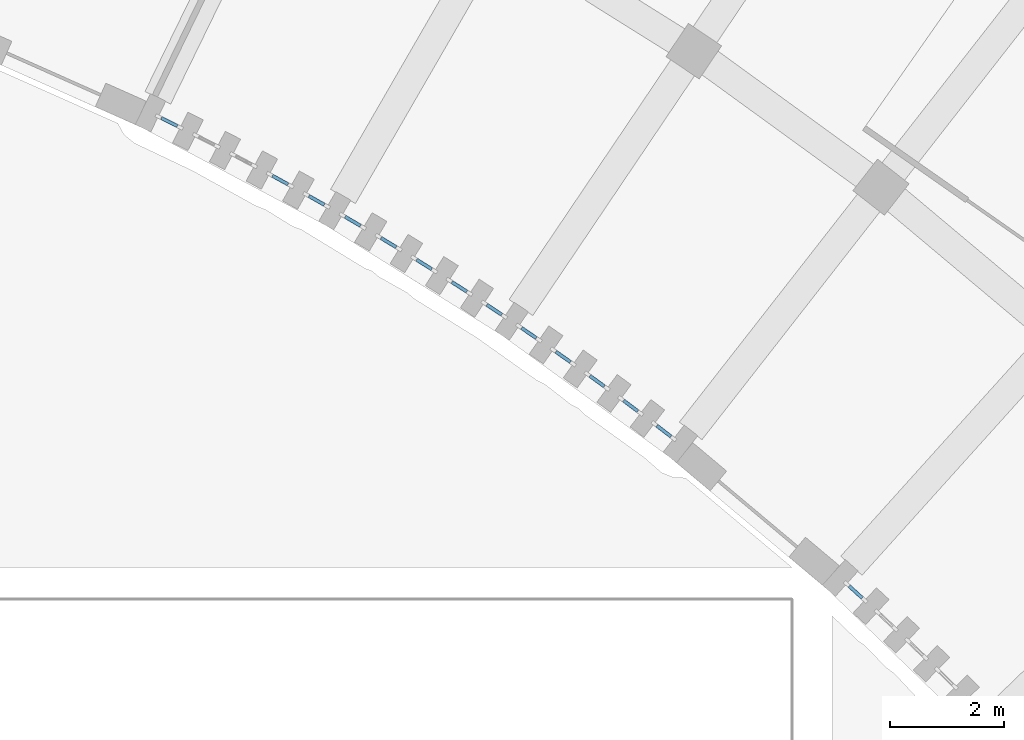
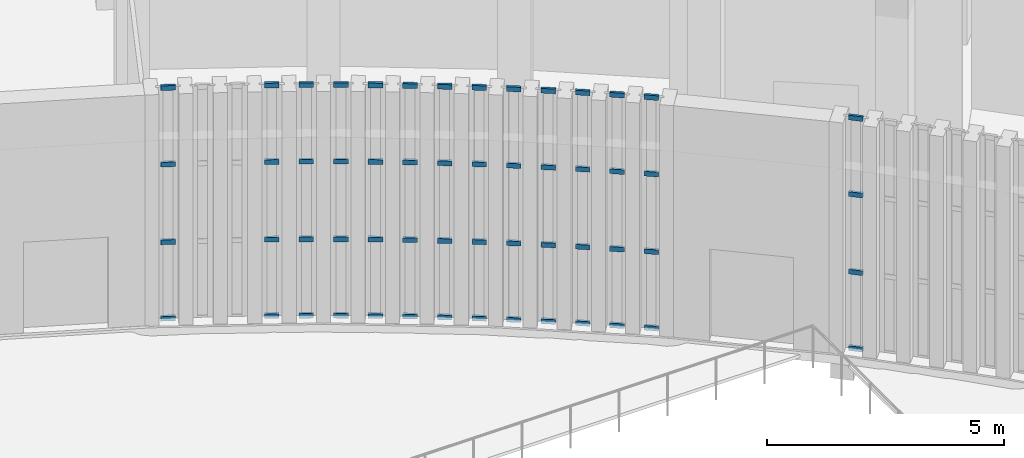
# One storey, part 69 of 155: 56 members, 14 elements without a shape of their own.
"""IFC4 building model written with IfcOpenShell, lengths in metres."""

from ifc_helpers import new_model, si_unit, direction, frame, origin, origin_2d, place, context, subcontext, project, spatial, rectangle, extrude, material, layer, layer_set, material_profile, profile_set, type_object, element, aggregate, save


model = new_model("IFC4")

# Units and contexts
model_context = context("Model", 3, precision=1e-05, world=origin(), true_north=direction((0.0, 1.0)))
body_context = subcontext(model_context, "Body", "Model", "MODEL_VIEW")
ifc_project = project(units=[si_unit("LENGTHUNIT", "METRE"), si_unit("AREAUNIT", "SQUARE_METRE"), si_unit("VOLUMEUNIT", "CUBIC_METRE"), si_unit("PLANEANGLEUNIT", "RADIAN"), si_unit("MASSUNIT", "GRAM", prefix="KILO")], contexts=[model_context])

# Site, building, storey
site_placement = place(None, origin())
site = spatial("IfcSite", under=ifc_project, at=site_placement, CompositionType="ELEMENT")
building_placement = place(site_placement, origin())
building = spatial("IfcBuilding", under=site, at=building_placement, Name="Lunette Opera House", CompositionType="ELEMENT")
storey_placement = place(building_placement, origin())
storey = spatial("IfcBuildingStorey", under=building, at=storey_placement, Name="L00", CompositionType="ELEMENT", Elevation=0.0)

# Curtain wall, members
ifc_material_1 = material(Name="Aluminium", Category="aluminium")
ifc_layer = layer(ifc_material_1, 0.1201171875)
ifc_layer_set = layer_set([ifc_layer], Name="Aluminium")
curtain_wall_type = type_object("IfcCurtainWallType", Name="SLOT CURTAIN WALL", PredefinedType="NOTDEFINED", material=ifc_layer_set)
curtain_wall_1_placement = place(storey_placement, origin())
curtain_wall_1 = element("IfcCurtainWall", 1, at=curtain_wall_1_placement, inside=storey, type_object=curtain_wall_type, Name="Slot Curtain Wall CS061 L00", PredefinedType="NOTDEFINED")
ifc_material_2 = material(Name="Aluminium", Category="aluminium")
ifc_material_profile = material_profile(ifc_material_2, rectangle(XDim=0.06005859375, YDim=0.1201171875, at=origin_2d()), Name="TRANSOM 60 X 120")
ifc_profile_set = profile_set([ifc_material_profile], Name="Aluminium")
member_type = type_object("IfcMemberType", Name="TRANSOM 60 X 120", PredefinedType="USERDEFINED", material=ifc_profile_set)
member_1_placement = place(storey_placement, frame((119.11572265625, 46.914306640625, 0.030029296875), z_axis=(0.895840911293, -0.444374911143, 0.0), x_axis=(0.444374911143, 0.895840911293, 0.0)))
member_1 = element("IfcMember", 2, at=member_1_placement, type_object=member_type, Name="FC-X2121 transom 1.1", ObjectType="TRANSOM", PredefinedType="USERDEFINED", context=body_context, shape_type="SweptSolid", body=[
    extrude(rectangle(XDim=0.06005859375, YDim=0.1201171875, at=origin_2d()), origin(), (0.0, 0.0, 1.0), 0.309814453125),
])
member_2_placement = place(storey_placement, frame((119.11572265625, 46.914306640625, 2.0), z_axis=(0.895840911293, -0.444374911143, 0.0), x_axis=(0.444374911143, 0.895840911293, 0.0)))
member_2 = element("IfcMember", 3, at=member_2_placement, type_object=member_type, Name="FC-X2121 transom 1.2", ObjectType="TRANSOM", PredefinedType="USERDEFINED", context=body_context, shape_type="SweptSolid", body=[
    extrude(rectangle(XDim=0.06005859375, YDim=0.1201171875, at=origin_2d()), origin(), (0.0, 0.0, 1.0), 0.309814453125),
])
member_3_placement = place(storey_placement, frame((119.11572265625, 46.914306640625, 4.0), z_axis=(0.895840911293, -0.444374911143, 0.0), x_axis=(0.444374911143, 0.895840911293, 0.0)))
member_3 = element("IfcMember", 4, at=member_3_placement, type_object=member_type, Name="FC-X2121 transom 1.3", ObjectType="TRANSOM", PredefinedType="USERDEFINED", context=body_context, shape_type="SweptSolid", body=[
    extrude(rectangle(XDim=0.06005859375, YDim=0.1201171875, at=origin_2d()), origin(), (0.0, 0.0, 1.0), 0.309814453125),
])
member_4_placement = place(storey_placement, frame((119.11572265625, 46.914306640625, 5.969970703125), z_axis=(0.895840911293, -0.444374911143, 0.0), x_axis=(0.444374911143, 0.895840911293, 0.0)))
member_4 = element("IfcMember", 5, at=member_4_placement, type_object=member_type, Name="FC-X2121 transom 1.4", ObjectType="TRANSOM", PredefinedType="USERDEFINED", context=body_context, shape_type="SweptSolid", body=[
    extrude(rectangle(XDim=0.06005859375, YDim=0.1201171875, at=origin_2d()), origin(), (0.0, 0.0, 1.0), 0.309814453125),
])
aggregate(curtain_wall_1, [member_1, member_2, member_3, member_4])

curtain_wall_2_placement = place(storey_placement, origin())
curtain_wall_2 = element("IfcCurtainWall", 6, at=curtain_wall_2_placement, inside=storey, type_object=curtain_wall_type, Name="Slot Curtain Wall CS064 L00", PredefinedType="NOTDEFINED")
member_5_placement = place(storey_placement, frame((121.0595703125, 45.905029296875, 0.030029296875), z_axis=(0.87659809462, -0.48122321277, 0.0), x_axis=(0.48122321277, 0.87659809462, 0.0)))
member_5 = element("IfcMember", 7, at=member_5_placement, type_object=member_type, Name="FC-X2127 transom 1.1", ObjectType="TRANSOM", PredefinedType="USERDEFINED", context=body_context, shape_type="SweptSolid", body=[
    extrude(rectangle(XDim=0.06005859375, YDim=0.1201171875, at=origin_2d()), origin(), (0.0, 0.0, 1.0), 0.31005859375),
])
member_6_placement = place(storey_placement, frame((121.0595703125, 45.905029296875, 2.0), z_axis=(0.87659809462, -0.48122321277, 0.0), x_axis=(0.48122321277, 0.87659809462, 0.0)))
member_6 = element("IfcMember", 8, at=member_6_placement, type_object=member_type, Name="FC-X2127 transom 1.2", ObjectType="TRANSOM", PredefinedType="USERDEFINED", context=body_context, shape_type="SweptSolid", body=[
    extrude(rectangle(XDim=0.06005859375, YDim=0.1201171875, at=origin_2d()), origin(), (0.0, 0.0, 1.0), 0.31005859375),
])
member_7_placement = place(storey_placement, frame((121.0595703125, 45.905029296875, 4.0), z_axis=(0.87659809462, -0.48122321277, 0.0), x_axis=(0.48122321277, 0.87659809462, 0.0)))
member_7 = element("IfcMember", 9, at=member_7_placement, type_object=member_type, Name="FC-X2127 transom 1.3", ObjectType="TRANSOM", PredefinedType="USERDEFINED", context=body_context, shape_type="SweptSolid", body=[
    extrude(rectangle(XDim=0.06005859375, YDim=0.1201171875, at=origin_2d()), origin(), (0.0, 0.0, 1.0), 0.31005859375),
])
member_8_placement = place(storey_placement, frame((121.0595703125, 45.905029296875, 5.969970703125), z_axis=(0.87659809462, -0.48122321277, 0.0), x_axis=(0.48122321277, 0.87659809462, 0.0)))
member_8 = element("IfcMember", 10, at=member_8_placement, type_object=member_type, Name="FC-X2127 transom 1.4", ObjectType="TRANSOM", PredefinedType="USERDEFINED", context=body_context, shape_type="SweptSolid", body=[
    extrude(rectangle(XDim=0.06005859375, YDim=0.1201171875, at=origin_2d()), origin(), (0.0, 0.0, 1.0), 0.31005859375),
])
aggregate(curtain_wall_2, [member_5, member_6, member_7, member_8])

curtain_wall_3_placement = place(storey_placement, origin())
curtain_wall_3 = element("IfcCurtainWall", 11, at=curtain_wall_3_placement, inside=storey, type_object=curtain_wall_type, Name="Slot Curtain Wall CS065 L00", PredefinedType="NOTDEFINED")
member_9_placement = place(storey_placement, frame((121.6982421875, 45.55029296875, 0.030029296875), z_axis=(0.870224974821, -0.492654537376, 0.0), x_axis=(0.492654537376, 0.870224974821, 0.0)))
member_9 = element("IfcMember", 12, at=member_9_placement, type_object=member_type, Name="FC-X2129 transom 1.1", ObjectType="TRANSOM", PredefinedType="USERDEFINED", context=body_context, shape_type="SweptSolid", body=[
    extrude(rectangle(XDim=0.06005859375, YDim=0.1201171875, at=origin_2d()), origin(), (0.0, 0.0, 1.0), 0.309814453125),
])
member_10_placement = place(storey_placement, frame((121.6982421875, 45.55029296875, 2.0), z_axis=(0.870224974821, -0.492654537376, 0.0), x_axis=(0.492654537376, 0.870224974821, 0.0)))
member_10 = element("IfcMember", 13, at=member_10_placement, type_object=member_type, Name="FC-X2129 transom 1.2", ObjectType="TRANSOM", PredefinedType="USERDEFINED", context=body_context, shape_type="SweptSolid", body=[
    extrude(rectangle(XDim=0.06005859375, YDim=0.1201171875, at=origin_2d()), origin(), (0.0, 0.0, 1.0), 0.309814453125),
])
member_11_placement = place(storey_placement, frame((121.6982421875, 45.55029296875, 4.0), z_axis=(0.870224974821, -0.492654537376, 0.0), x_axis=(0.492654537376, 0.870224974821, 0.0)))
member_11 = element("IfcMember", 14, at=member_11_placement, type_object=member_type, Name="FC-X2129 transom 1.3", ObjectType="TRANSOM", PredefinedType="USERDEFINED", context=body_context, shape_type="SweptSolid", body=[
    extrude(rectangle(XDim=0.06005859375, YDim=0.1201171875, at=origin_2d()), origin(), (0.0, 0.0, 1.0), 0.309814453125),
])
member_12_placement = place(storey_placement, frame((121.6982421875, 45.55029296875, 5.969970703125), z_axis=(0.870224974821, -0.492654537376, 0.0), x_axis=(0.492654537376, 0.870224974821, 0.0)))
member_12 = element("IfcMember", 15, at=member_12_placement, type_object=member_type, Name="FC-X2129 transom 1.4", ObjectType="TRANSOM", PredefinedType="USERDEFINED", context=body_context, shape_type="SweptSolid", body=[
    extrude(rectangle(XDim=0.06005859375, YDim=0.1201171875, at=origin_2d()), origin(), (0.0, 0.0, 1.0), 0.309814453125),
])
aggregate(curtain_wall_3, [member_9, member_10, member_11, member_12])

curtain_wall_4_placement = place(storey_placement, origin())
curtain_wall_4 = element("IfcCurtainWall", 16, at=curtain_wall_4_placement, inside=storey, type_object=curtain_wall_type, Name="Slot Curtain Wall CS066 L00", PredefinedType="NOTDEFINED")
member_13_placement = place(storey_placement, frame((122.331787109375, 45.1875, 0.030029296875), z_axis=(0.862520326082, -0.506022417583, 0.0), x_axis=(0.506022417583, 0.862520326082, 0.0)))
member_13 = element("IfcMember", 17, at=member_13_placement, type_object=member_type, Name="FC-X2131 transom 1.1", ObjectType="TRANSOM", PredefinedType="USERDEFINED", context=body_context, shape_type="SweptSolid", body=[
    extrude(rectangle(XDim=0.06005859375, YDim=0.1201171875, at=origin_2d()), origin(), (0.0, 0.0, 1.0), 0.310302734375),
])
member_14_placement = place(storey_placement, frame((122.331787109375, 45.1875, 2.0), z_axis=(0.862520326082, -0.506022417583, 0.0), x_axis=(0.506022417583, 0.862520326082, 0.0)))
member_14 = element("IfcMember", 18, at=member_14_placement, type_object=member_type, Name="FC-X2131 transom 1.2", ObjectType="TRANSOM", PredefinedType="USERDEFINED", context=body_context, shape_type="SweptSolid", body=[
    extrude(rectangle(XDim=0.06005859375, YDim=0.1201171875, at=origin_2d()), origin(), (0.0, 0.0, 1.0), 0.310302734375),
])
member_15_placement = place(storey_placement, frame((122.331787109375, 45.1875, 4.0), z_axis=(0.862520326082, -0.506022417583, 0.0), x_axis=(0.506022417583, 0.862520326082, 0.0)))
member_15 = element("IfcMember", 19, at=member_15_placement, type_object=member_type, Name="FC-X2131 transom 1.3", ObjectType="TRANSOM", PredefinedType="USERDEFINED", context=body_context, shape_type="SweptSolid", body=[
    extrude(rectangle(XDim=0.06005859375, YDim=0.1201171875, at=origin_2d()), origin(), (0.0, 0.0, 1.0), 0.310302734375),
])
member_16_placement = place(storey_placement, frame((122.331787109375, 45.1875, 5.969970703125), z_axis=(0.862520326082, -0.506022417583, 0.0), x_axis=(0.506022417583, 0.862520326082, 0.0)))
member_16 = element("IfcMember", 20, at=member_16_placement, type_object=member_type, Name="FC-X2131 transom 1.4", ObjectType="TRANSOM", PredefinedType="USERDEFINED", context=body_context, shape_type="SweptSolid", body=[
    extrude(rectangle(XDim=0.06005859375, YDim=0.1201171875, at=origin_2d()), origin(), (0.0, 0.0, 1.0), 0.310302734375),
])
aggregate(curtain_wall_4, [member_13, member_14, member_15, member_16])

curtain_wall_5_placement = place(storey_placement, origin())
curtain_wall_5 = element("IfcCurtainWall", 21, at=curtain_wall_5_placement, inside=storey, type_object=curtain_wall_type, Name="Slot Curtain Wall CS067 L00", PredefinedType="NOTDEFINED")
member_17_placement = place(storey_placement, frame((122.960205078125, 44.81591796875, 0.030029296875), z_axis=(0.855123856729, -0.518423754908, 0.0), x_axis=(0.518423754908, 0.855123856729, 0.0)))
member_17 = element("IfcMember", 22, at=member_17_placement, type_object=member_type, Name="FC-X2133 transom 1.1", ObjectType="TRANSOM", PredefinedType="USERDEFINED", context=body_context, shape_type="SweptSolid", body=[
    extrude(rectangle(XDim=0.06005859375, YDim=0.1201171875, at=origin_2d()), origin(), (0.0, 0.0, 1.0), 0.310302734375),
])
member_18_placement = place(storey_placement, frame((122.960205078125, 44.81591796875, 2.0), z_axis=(0.855123856729, -0.518423754908, 0.0), x_axis=(0.518423754908, 0.855123856729, 0.0)))
member_18 = element("IfcMember", 23, at=member_18_placement, type_object=member_type, Name="FC-X2133 transom 1.2", ObjectType="TRANSOM", PredefinedType="USERDEFINED", context=body_context, shape_type="SweptSolid", body=[
    extrude(rectangle(XDim=0.06005859375, YDim=0.1201171875, at=origin_2d()), origin(), (0.0, 0.0, 1.0), 0.310302734375),
])
member_19_placement = place(storey_placement, frame((122.960205078125, 44.81591796875, 4.0), z_axis=(0.855123856729, -0.518423754908, 0.0), x_axis=(0.518423754908, 0.855123856729, 0.0)))
member_19 = element("IfcMember", 24, at=member_19_placement, type_object=member_type, Name="FC-X2133 transom 1.3", ObjectType="TRANSOM", PredefinedType="USERDEFINED", context=body_context, shape_type="SweptSolid", body=[
    extrude(rectangle(XDim=0.06005859375, YDim=0.1201171875, at=origin_2d()), origin(), (0.0, 0.0, 1.0), 0.310302734375),
])
member_20_placement = place(storey_placement, frame((122.960205078125, 44.81591796875, 5.969970703125), z_axis=(0.855123856729, -0.518423754908, 0.0), x_axis=(0.518423754908, 0.855123856729, 0.0)))
member_20 = element("IfcMember", 25, at=member_20_placement, type_object=member_type, Name="FC-X2133 transom 1.4", ObjectType="TRANSOM", PredefinedType="USERDEFINED", context=body_context, shape_type="SweptSolid", body=[
    extrude(rectangle(XDim=0.06005859375, YDim=0.1201171875, at=origin_2d()), origin(), (0.0, 0.0, 1.0), 0.310302734375),
])
aggregate(curtain_wall_5, [member_17, member_18, member_19, member_20])

curtain_wall_6_placement = place(storey_placement, origin())
curtain_wall_6 = element("IfcCurtainWall", 26, at=curtain_wall_6_placement, inside=storey, type_object=curtain_wall_type, Name="Slot Curtain Wall CS068 L00", PredefinedType="NOTDEFINED")
member_21_placement = place(storey_placement, frame((123.5830078125, 44.435302734375, 0.030029296875), z_axis=(0.847909914871, -0.530140336385, 0.0), x_axis=(0.530140336385, 0.847909914871, 0.0)))
member_21 = element("IfcMember", 27, at=member_21_placement, type_object=member_type, Name="FC-X2135 transom 1.1", ObjectType="TRANSOM", PredefinedType="USERDEFINED", context=body_context, shape_type="SweptSolid", body=[
    extrude(rectangle(XDim=0.06005859375, YDim=0.1201171875, at=origin_2d()), origin(), (0.0, 0.0, 1.0), 0.310302734375),
])
member_22_placement = place(storey_placement, frame((123.5830078125, 44.435302734375, 2.0), z_axis=(0.847909914871, -0.530140336385, 0.0), x_axis=(0.530140336385, 0.847909914871, 0.0)))
member_22 = element("IfcMember", 28, at=member_22_placement, type_object=member_type, Name="FC-X2135 transom 1.2", ObjectType="TRANSOM", PredefinedType="USERDEFINED", context=body_context, shape_type="SweptSolid", body=[
    extrude(rectangle(XDim=0.06005859375, YDim=0.1201171875, at=origin_2d()), origin(), (0.0, 0.0, 1.0), 0.310302734375),
])
member_23_placement = place(storey_placement, frame((123.5830078125, 44.435302734375, 4.0), z_axis=(0.847909914871, -0.530140336385, 0.0), x_axis=(0.530140336385, 0.847909914871, 0.0)))
member_23 = element("IfcMember", 29, at=member_23_placement, type_object=member_type, Name="FC-X2135 transom 1.3", ObjectType="TRANSOM", PredefinedType="USERDEFINED", context=body_context, shape_type="SweptSolid", body=[
    extrude(rectangle(XDim=0.06005859375, YDim=0.1201171875, at=origin_2d()), origin(), (0.0, 0.0, 1.0), 0.310302734375),
])
member_24_placement = place(storey_placement, frame((123.5830078125, 44.435302734375, 5.969970703125), z_axis=(0.847909914871, -0.530140336385, 0.0), x_axis=(0.530140336385, 0.847909914871, 0.0)))
member_24 = element("IfcMember", 30, at=member_24_placement, type_object=member_type, Name="FC-X2135 transom 1.4", ObjectType="TRANSOM", PredefinedType="USERDEFINED", context=body_context, shape_type="SweptSolid", body=[
    extrude(rectangle(XDim=0.06005859375, YDim=0.1201171875, at=origin_2d()), origin(), (0.0, 0.0, 1.0), 0.310302734375),
])
aggregate(curtain_wall_6, [member_21, member_22, member_23, member_24])

curtain_wall_7_placement = place(storey_placement, origin())
curtain_wall_7 = element("IfcCurtainWall", 31, at=curtain_wall_7_placement, inside=storey, type_object=curtain_wall_type, Name="Slot Curtain Wall CS069 L00", PredefinedType="NOTDEFINED")
member_25_placement = place(storey_placement, frame((124.200439453125, 44.04541015625, 0.030029296875), z_axis=(0.84089722299, -0.541194845105, 0.0), x_axis=(0.541194845105, 0.84089722299, 0.0)))
member_25 = element("IfcMember", 32, at=member_25_placement, type_object=member_type, Name="FC-X2137 transom 1.1", ObjectType="TRANSOM", PredefinedType="USERDEFINED", context=body_context, shape_type="SweptSolid", body=[
    extrude(rectangle(XDim=0.06005859375, YDim=0.1201171875, at=origin_2d()), origin(), (0.0, 0.0, 1.0), 0.310302734375),
])
member_26_placement = place(storey_placement, frame((124.200439453125, 44.04541015625, 2.0), z_axis=(0.84089722299, -0.541194845105, 0.0), x_axis=(0.541194845105, 0.84089722299, 0.0)))
member_26 = element("IfcMember", 33, at=member_26_placement, type_object=member_type, Name="FC-X2137 transom 1.2", ObjectType="TRANSOM", PredefinedType="USERDEFINED", context=body_context, shape_type="SweptSolid", body=[
    extrude(rectangle(XDim=0.06005859375, YDim=0.1201171875, at=origin_2d()), origin(), (0.0, 0.0, 1.0), 0.310302734375),
])
member_27_placement = place(storey_placement, frame((124.200439453125, 44.04541015625, 4.0), z_axis=(0.84089722299, -0.541194845105, 0.0), x_axis=(0.541194845105, 0.84089722299, 0.0)))
member_27 = element("IfcMember", 34, at=member_27_placement, type_object=member_type, Name="FC-X2137 transom 1.3", ObjectType="TRANSOM", PredefinedType="USERDEFINED", context=body_context, shape_type="SweptSolid", body=[
    extrude(rectangle(XDim=0.06005859375, YDim=0.1201171875, at=origin_2d()), origin(), (0.0, 0.0, 1.0), 0.310302734375),
])
member_28_placement = place(storey_placement, frame((124.200439453125, 44.04541015625, 5.969970703125), z_axis=(0.84089722299, -0.541194845105, 0.0), x_axis=(0.541194845105, 0.84089722299, 0.0)))
member_28 = element("IfcMember", 35, at=member_28_placement, type_object=member_type, Name="FC-X2137 transom 1.4", ObjectType="TRANSOM", PredefinedType="USERDEFINED", context=body_context, shape_type="SweptSolid", body=[
    extrude(rectangle(XDim=0.06005859375, YDim=0.1201171875, at=origin_2d()), origin(), (0.0, 0.0, 1.0), 0.310302734375),
])
aggregate(curtain_wall_7, [member_25, member_26, member_27, member_28])

curtain_wall_8_placement = place(storey_placement, origin())
curtain_wall_8 = element("IfcCurtainWall", 36, at=curtain_wall_8_placement, inside=storey, type_object=curtain_wall_type, Name="Slot Curtain Wall CS070 L00", PredefinedType="NOTDEFINED")
member_29_placement = place(storey_placement, frame((124.81298828125, 43.646728515625, 0.030029296875), z_axis=(0.832655762321, -0.553790918554, 0.0), x_axis=(0.553790918554, 0.832655762321, 0.0)))
member_29 = element("IfcMember", 37, at=member_29_placement, type_object=member_type, Name="FC-X2139 transom 1.1", ObjectType="TRANSOM", PredefinedType="USERDEFINED", context=body_context, shape_type="SweptSolid", body=[
    extrude(rectangle(XDim=0.06005859375, YDim=0.1201171875, at=origin_2d()), origin(), (0.0, 0.0, 1.0), 0.309814453125),
])
member_30_placement = place(storey_placement, frame((124.81298828125, 43.646728515625, 2.0), z_axis=(0.832655762321, -0.553790918554, 0.0), x_axis=(0.553790918554, 0.832655762321, 0.0)))
member_30 = element("IfcMember", 38, at=member_30_placement, type_object=member_type, Name="FC-X2139 transom 1.2", ObjectType="TRANSOM", PredefinedType="USERDEFINED", context=body_context, shape_type="SweptSolid", body=[
    extrude(rectangle(XDim=0.06005859375, YDim=0.1201171875, at=origin_2d()), origin(), (0.0, 0.0, 1.0), 0.309814453125),
])
member_31_placement = place(storey_placement, frame((124.81298828125, 43.646728515625, 4.0), z_axis=(0.832655762321, -0.553790918554, 0.0), x_axis=(0.553790918554, 0.832655762321, 0.0)))
member_31 = element("IfcMember", 39, at=member_31_placement, type_object=member_type, Name="FC-X2139 transom 1.3", ObjectType="TRANSOM", PredefinedType="USERDEFINED", context=body_context, shape_type="SweptSolid", body=[
    extrude(rectangle(XDim=0.06005859375, YDim=0.1201171875, at=origin_2d()), origin(), (0.0, 0.0, 1.0), 0.309814453125),
])
member_32_placement = place(storey_placement, frame((124.81298828125, 43.646728515625, 5.969970703125), z_axis=(0.832655762321, -0.553790918554, 0.0), x_axis=(0.553790918554, 0.832655762321, 0.0)))
member_32 = element("IfcMember", 40, at=member_32_placement, type_object=member_type, Name="FC-X2139 transom 1.4", ObjectType="TRANSOM", PredefinedType="USERDEFINED", context=body_context, shape_type="SweptSolid", body=[
    extrude(rectangle(XDim=0.06005859375, YDim=0.1201171875, at=origin_2d()), origin(), (0.0, 0.0, 1.0), 0.309814453125),
])
aggregate(curtain_wall_8, [member_29, member_30, member_31, member_32])

curtain_wall_9_placement = place(storey_placement, origin())
curtain_wall_9 = element("IfcCurtainWall", 41, at=curtain_wall_9_placement, inside=storey, type_object=curtain_wall_type, Name="Slot Curtain Wall CS071 L00", PredefinedType="NOTDEFINED")
member_33_placement = place(storey_placement, frame((125.41943359375, 43.2412109375, 0.030029296875), z_axis=(0.825210771516, -0.564824913202, 0.0), x_axis=(0.564824913202, 0.825210771516, 0.0)))
member_33 = element("IfcMember", 42, at=member_33_placement, type_object=member_type, Name="FC-X2141 transom 1.1", ObjectType="TRANSOM", PredefinedType="USERDEFINED", context=body_context, shape_type="SweptSolid", body=[
    extrude(rectangle(XDim=0.06005859375, YDim=0.1201171875, at=origin_2d()), origin(), (0.0, 0.0, 1.0), 0.310302734375),
])
member_34_placement = place(storey_placement, frame((125.41943359375, 43.2412109375, 2.0), z_axis=(0.825210771516, -0.564824913202, 0.0), x_axis=(0.564824913202, 0.825210771516, 0.0)))
member_34 = element("IfcMember", 43, at=member_34_placement, type_object=member_type, Name="FC-X2141 transom 1.2", ObjectType="TRANSOM", PredefinedType="USERDEFINED", context=body_context, shape_type="SweptSolid", body=[
    extrude(rectangle(XDim=0.06005859375, YDim=0.1201171875, at=origin_2d()), origin(), (0.0, 0.0, 1.0), 0.310302734375),
])
member_35_placement = place(storey_placement, frame((125.41943359375, 43.2412109375, 4.0), z_axis=(0.825210771516, -0.564824913202, 0.0), x_axis=(0.564824913202, 0.825210771516, 0.0)))
member_35 = element("IfcMember", 44, at=member_35_placement, type_object=member_type, Name="FC-X2141 transom 1.3", ObjectType="TRANSOM", PredefinedType="USERDEFINED", context=body_context, shape_type="SweptSolid", body=[
    extrude(rectangle(XDim=0.06005859375, YDim=0.1201171875, at=origin_2d()), origin(), (0.0, 0.0, 1.0), 0.310302734375),
])
member_36_placement = place(storey_placement, frame((125.41943359375, 43.2412109375, 5.969970703125), z_axis=(0.825210771516, -0.564824913202, 0.0), x_axis=(0.564824913202, 0.825210771516, 0.0)))
member_36 = element("IfcMember", 45, at=member_36_placement, type_object=member_type, Name="FC-X2141 transom 1.4", ObjectType="TRANSOM", PredefinedType="USERDEFINED", context=body_context, shape_type="SweptSolid", body=[
    extrude(rectangle(XDim=0.06005859375, YDim=0.1201171875, at=origin_2d()), origin(), (0.0, 0.0, 1.0), 0.310302734375),
])
aggregate(curtain_wall_9, [member_33, member_34, member_35, member_36])

curtain_wall_10_placement = place(storey_placement, origin())
curtain_wall_10 = element("IfcCurtainWall", 46, at=curtain_wall_10_placement, inside=storey, type_object=curtain_wall_type, Name="Slot Curtain Wall CS072 L00", PredefinedType="NOTDEFINED")
member_37_placement = place(storey_placement, frame((126.02001953125, 42.825439453125, 0.030029296875), z_axis=(0.817381498567, -0.57609676774, 0.0), x_axis=(0.57609676774, 0.817381498567, 0.0)))
member_37 = element("IfcMember", 47, at=member_37_placement, type_object=member_type, Name="FC-X2143 transom 1.1", ObjectType="TRANSOM", PredefinedType="USERDEFINED", context=body_context, shape_type="SweptSolid", body=[
    extrude(rectangle(XDim=0.06005859375, YDim=0.1201171875, at=origin_2d()), origin(), (0.0, 0.0, 1.0), 0.310546875),
])
member_38_placement = place(storey_placement, frame((126.02001953125, 42.825439453125, 2.0), z_axis=(0.817381498567, -0.57609676774, 0.0), x_axis=(0.57609676774, 0.817381498567, 0.0)))
member_38 = element("IfcMember", 48, at=member_38_placement, type_object=member_type, Name="FC-X2143 transom 1.2", ObjectType="TRANSOM", PredefinedType="USERDEFINED", context=body_context, shape_type="SweptSolid", body=[
    extrude(rectangle(XDim=0.06005859375, YDim=0.1201171875, at=origin_2d()), origin(), (0.0, 0.0, 1.0), 0.310546875),
])
member_39_placement = place(storey_placement, frame((126.02001953125, 42.825439453125, 4.0), z_axis=(0.817381498567, -0.57609676774, 0.0), x_axis=(0.57609676774, 0.817381498567, 0.0)))
member_39 = element("IfcMember", 49, at=member_39_placement, type_object=member_type, Name="FC-X2143 transom 1.3", ObjectType="TRANSOM", PredefinedType="USERDEFINED", context=body_context, shape_type="SweptSolid", body=[
    extrude(rectangle(XDim=0.06005859375, YDim=0.1201171875, at=origin_2d()), origin(), (0.0, 0.0, 1.0), 0.310546875),
])
member_40_placement = place(storey_placement, frame((126.02001953125, 42.825439453125, 5.969970703125), z_axis=(0.817381498567, -0.57609676774, 0.0), x_axis=(0.57609676774, 0.817381498567, 0.0)))
member_40 = element("IfcMember", 50, at=member_40_placement, type_object=member_type, Name="FC-X2143 transom 1.4", ObjectType="TRANSOM", PredefinedType="USERDEFINED", context=body_context, shape_type="SweptSolid", body=[
    extrude(rectangle(XDim=0.06005859375, YDim=0.1201171875, at=origin_2d()), origin(), (0.0, 0.0, 1.0), 0.310546875),
])
aggregate(curtain_wall_10, [member_37, member_38, member_39, member_40])

curtain_wall_11_placement = place(storey_placement, origin())
curtain_wall_11 = element("IfcCurtainWall", 51, at=curtain_wall_11_placement, inside=storey, type_object=curtain_wall_type, Name="Slot Curtain Wall CS073 L00", PredefinedType="NOTDEFINED")
member_41_placement = place(storey_placement, frame((126.615478515625, 42.40283203125, 0.030029296875), z_axis=(0.808600006297, -0.588358759446, 0.0), x_axis=(0.588358759446, 0.808600006297, 0.0)))
member_41 = element("IfcMember", 52, at=member_41_placement, type_object=member_type, Name="FC-X2145 transom 1.1", ObjectType="TRANSOM", PredefinedType="USERDEFINED", context=body_context, shape_type="SweptSolid", body=[
    extrude(rectangle(XDim=0.06005859375, YDim=0.1201171875, at=origin_2d()), origin(), (0.0, 0.0, 1.0), 0.310302734375),
])
member_42_placement = place(storey_placement, frame((126.615478515625, 42.40283203125, 2.0), z_axis=(0.808600006297, -0.588358759446, 0.0), x_axis=(0.588358759446, 0.808600006297, 0.0)))
member_42 = element("IfcMember", 53, at=member_42_placement, type_object=member_type, Name="FC-X2145 transom 1.2", ObjectType="TRANSOM", PredefinedType="USERDEFINED", context=body_context, shape_type="SweptSolid", body=[
    extrude(rectangle(XDim=0.06005859375, YDim=0.1201171875, at=origin_2d()), origin(), (0.0, 0.0, 1.0), 0.310302734375),
])
member_43_placement = place(storey_placement, frame((126.615478515625, 42.40283203125, 4.0), z_axis=(0.808600006297, -0.588358759446, 0.0), x_axis=(0.588358759446, 0.808600006297, 0.0)))
member_43 = element("IfcMember", 54, at=member_43_placement, type_object=member_type, Name="FC-X2145 transom 1.3", ObjectType="TRANSOM", PredefinedType="USERDEFINED", context=body_context, shape_type="SweptSolid", body=[
    extrude(rectangle(XDim=0.06005859375, YDim=0.1201171875, at=origin_2d()), origin(), (0.0, 0.0, 1.0), 0.310302734375),
])
member_44_placement = place(storey_placement, frame((126.615478515625, 42.40283203125, 5.969970703125), z_axis=(0.808600006297, -0.588358759446, 0.0), x_axis=(0.588358759446, 0.808600006297, 0.0)))
member_44 = element("IfcMember", 55, at=member_44_placement, type_object=member_type, Name="FC-X2145 transom 1.4", ObjectType="TRANSOM", PredefinedType="USERDEFINED", context=body_context, shape_type="SweptSolid", body=[
    extrude(rectangle(XDim=0.06005859375, YDim=0.1201171875, at=origin_2d()), origin(), (0.0, 0.0, 1.0), 0.310302734375),
])
aggregate(curtain_wall_11, [member_41, member_42, member_43, member_44])

curtain_wall_12_placement = place(storey_placement, origin())
curtain_wall_12 = element("IfcCurtainWall", 56, at=curtain_wall_12_placement, inside=storey, type_object=curtain_wall_type, Name="Slot Curtain Wall CS074 L00", PredefinedType="NOTDEFINED")
member_45_placement = place(storey_placement, frame((127.2041015625, 41.970947265625, 0.030029296875), z_axis=(0.800847988347, -0.598867681178, 0.0), x_axis=(0.598867681178, 0.800847988347, 0.0)))
member_45 = element("IfcMember", 57, at=member_45_placement, type_object=member_type, Name="FC-X2147 transom 1.1", ObjectType="TRANSOM", PredefinedType="USERDEFINED", context=body_context, shape_type="SweptSolid", body=[
    extrude(rectangle(XDim=0.06005859375, YDim=0.1201171875, at=origin_2d()), origin(), (0.0, 0.0, 1.0), 0.310546875),
])
member_46_placement = place(storey_placement, frame((127.2041015625, 41.970947265625, 2.0), z_axis=(0.800847988347, -0.598867681178, 0.0), x_axis=(0.598867681178, 0.800847988347, 0.0)))
member_46 = element("IfcMember", 58, at=member_46_placement, type_object=member_type, Name="FC-X2147 transom 1.2", ObjectType="TRANSOM", PredefinedType="USERDEFINED", context=body_context, shape_type="SweptSolid", body=[
    extrude(rectangle(XDim=0.06005859375, YDim=0.1201171875, at=origin_2d()), origin(), (0.0, 0.0, 1.0), 0.310546875),
])
member_47_placement = place(storey_placement, frame((127.2041015625, 41.970947265625, 4.0), z_axis=(0.800847988347, -0.598867681178, 0.0), x_axis=(0.598867681178, 0.800847988347, 0.0)))
member_47 = element("IfcMember", 59, at=member_47_placement, type_object=member_type, Name="FC-X2147 transom 1.3", ObjectType="TRANSOM", PredefinedType="USERDEFINED", context=body_context, shape_type="SweptSolid", body=[
    extrude(rectangle(XDim=0.06005859375, YDim=0.1201171875, at=origin_2d()), origin(), (0.0, 0.0, 1.0), 0.310546875),
])
member_48_placement = place(storey_placement, frame((127.2041015625, 41.970947265625, 5.969970703125), z_axis=(0.800847988347, -0.598867681178, 0.0), x_axis=(0.598867681178, 0.800847988347, 0.0)))
member_48 = element("IfcMember", 60, at=member_48_placement, type_object=member_type, Name="FC-X2147 transom 1.4", ObjectType="TRANSOM", PredefinedType="USERDEFINED", context=body_context, shape_type="SweptSolid", body=[
    extrude(rectangle(XDim=0.06005859375, YDim=0.1201171875, at=origin_2d()), origin(), (0.0, 0.0, 1.0), 0.310546875),
])
aggregate(curtain_wall_12, [member_45, member_46, member_47, member_48])

curtain_wall_13_placement = place(storey_placement, origin())
curtain_wall_13 = element("IfcCurtainWall", 61, at=curtain_wall_13_placement, inside=storey, type_object=curtain_wall_type, Name="Slot Curtain Wall CS075 L00", PredefinedType="NOTDEFINED")
member_49_placement = place(storey_placement, frame((127.78759765625, 41.53125, 0.030029296875), z_axis=(0.791717068558, -0.610887946643, 0.0), x_axis=(0.610887946643, 0.791717068558, 0.0)))
member_49 = element("IfcMember", 62, at=member_49_placement, type_object=member_type, Name="FC-X2149 transom 1.1", ObjectType="TRANSOM", PredefinedType="USERDEFINED", context=body_context, shape_type="SweptSolid", body=[
    extrude(rectangle(XDim=0.06005859375, YDim=0.1201171875, at=origin_2d()), origin(), (0.0, 0.0, 1.0), 0.310546875),
])
member_50_placement = place(storey_placement, frame((127.78759765625, 41.53125, 2.0), z_axis=(0.791717068558, -0.610887946643, 0.0), x_axis=(0.610887946643, 0.791717068558, 0.0)))
member_50 = element("IfcMember", 63, at=member_50_placement, type_object=member_type, Name="FC-X2149 transom 1.2", ObjectType="TRANSOM", PredefinedType="USERDEFINED", context=body_context, shape_type="SweptSolid", body=[
    extrude(rectangle(XDim=0.06005859375, YDim=0.1201171875, at=origin_2d()), origin(), (0.0, 0.0, 1.0), 0.310546875),
])
member_51_placement = place(storey_placement, frame((127.78759765625, 41.53125, 4.0), z_axis=(0.791717068558, -0.610887946643, 0.0), x_axis=(0.610887946643, 0.791717068558, 0.0)))
member_51 = element("IfcMember", 64, at=member_51_placement, type_object=member_type, Name="FC-X2149 transom 1.3", ObjectType="TRANSOM", PredefinedType="USERDEFINED", context=body_context, shape_type="SweptSolid", body=[
    extrude(rectangle(XDim=0.06005859375, YDim=0.1201171875, at=origin_2d()), origin(), (0.0, 0.0, 1.0), 0.310546875),
])
member_52_placement = place(storey_placement, frame((127.78759765625, 41.53125, 5.969970703125), z_axis=(0.791717068558, -0.610887946643, 0.0), x_axis=(0.610887946643, 0.791717068558, 0.0)))
member_52 = element("IfcMember", 65, at=member_52_placement, type_object=member_type, Name="FC-X2149 transom 1.4", ObjectType="TRANSOM", PredefinedType="USERDEFINED", context=body_context, shape_type="SweptSolid", body=[
    extrude(rectangle(XDim=0.06005859375, YDim=0.1201171875, at=origin_2d()), origin(), (0.0, 0.0, 1.0), 0.310546875),
])
aggregate(curtain_wall_13, [member_49, member_50, member_51, member_52])

curtain_wall_14_placement = place(storey_placement, origin())
curtain_wall_14 = element("IfcCurtainWall", 66, at=curtain_wall_14_placement, inside=storey, type_object=curtain_wall_type, Name="Slot Curtain Wall CS076 L00", PredefinedType="NOTDEFINED")
member_53_placement = place(storey_placement, frame((131.1513671875, 38.7255859375, 0.030029296875), z_axis=(0.738621715526, -0.674120138665, 0.0), x_axis=(0.674120138665, 0.738621715526, 0.0)))
member_53 = element("IfcMember", 67, at=member_53_placement, type_object=member_type, Name="FC-X2151 transom 1.1", ObjectType="TRANSOM", PredefinedType="USERDEFINED", context=body_context, shape_type="SweptSolid", body=[
    extrude(rectangle(XDim=0.06005859375, YDim=0.1201171875, at=origin_2d()), origin(), (0.0, 0.0, 1.0), 0.310302734375),
])
member_54_placement = place(storey_placement, frame((131.1513671875, 38.7255859375, 2.0), z_axis=(0.738621715526, -0.674120138665, 0.0), x_axis=(0.674120138665, 0.738621715526, 0.0)))
member_54 = element("IfcMember", 68, at=member_54_placement, type_object=member_type, Name="FC-X2151 transom 1.2", ObjectType="TRANSOM", PredefinedType="USERDEFINED", context=body_context, shape_type="SweptSolid", body=[
    extrude(rectangle(XDim=0.06005859375, YDim=0.1201171875, at=origin_2d()), origin(), (0.0, 0.0, 1.0), 0.310302734375),
])
member_55_placement = place(storey_placement, frame((131.1513671875, 38.7255859375, 4.0), z_axis=(0.738621715526, -0.674120138665, 0.0), x_axis=(0.674120138665, 0.738621715526, 0.0)))
member_55 = element("IfcMember", 69, at=member_55_placement, type_object=member_type, Name="FC-X2151 transom 1.3", ObjectType="TRANSOM", PredefinedType="USERDEFINED", context=body_context, shape_type="SweptSolid", body=[
    extrude(rectangle(XDim=0.06005859375, YDim=0.1201171875, at=origin_2d()), origin(), (0.0, 0.0, 1.0), 0.310302734375),
])
member_56_placement = place(storey_placement, frame((131.1513671875, 38.7255859375, 5.969970703125), z_axis=(0.738621715526, -0.674120138665, 0.0), x_axis=(0.674120138665, 0.738621715526, 0.0)))
member_56 = element("IfcMember", 70, at=member_56_placement, type_object=member_type, Name="FC-X2151 transom 1.4", ObjectType="TRANSOM", PredefinedType="USERDEFINED", context=body_context, shape_type="SweptSolid", body=[
    extrude(rectangle(XDim=0.06005859375, YDim=0.1201171875, at=origin_2d()), origin(), (0.0, 0.0, 1.0), 0.310302734375),
])
aggregate(curtain_wall_14, [member_53, member_54, member_55, member_56])

save(model, "model.ifc")
